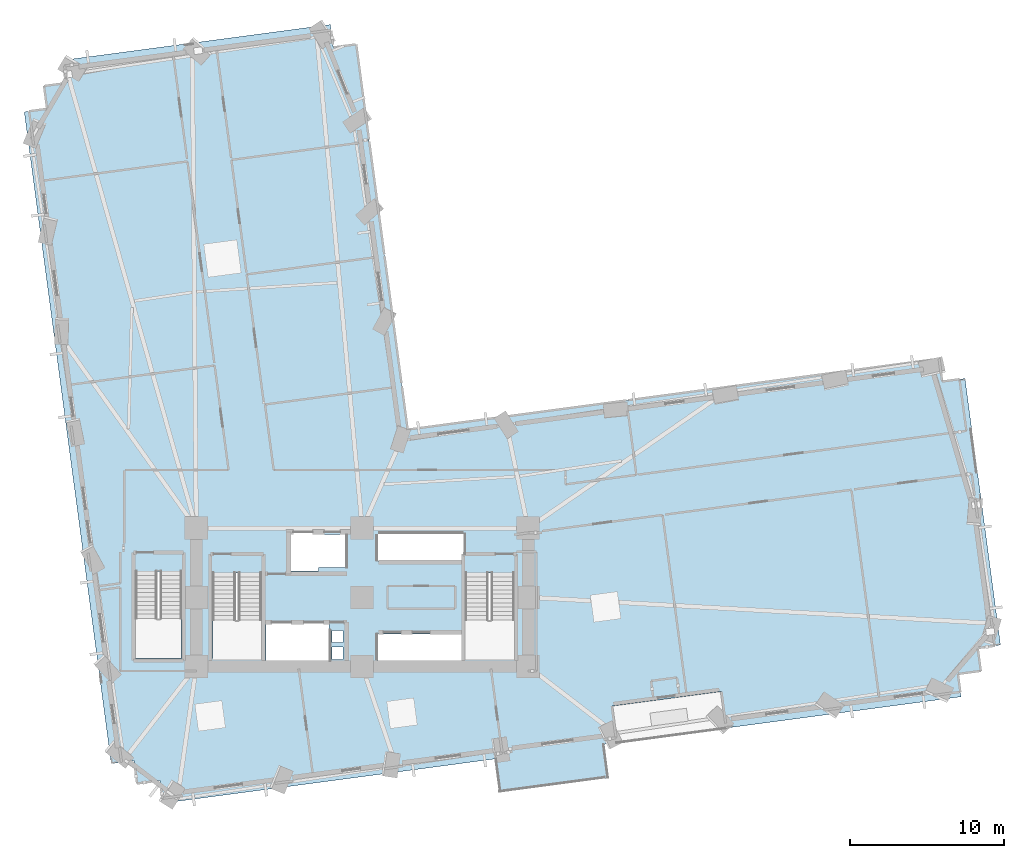
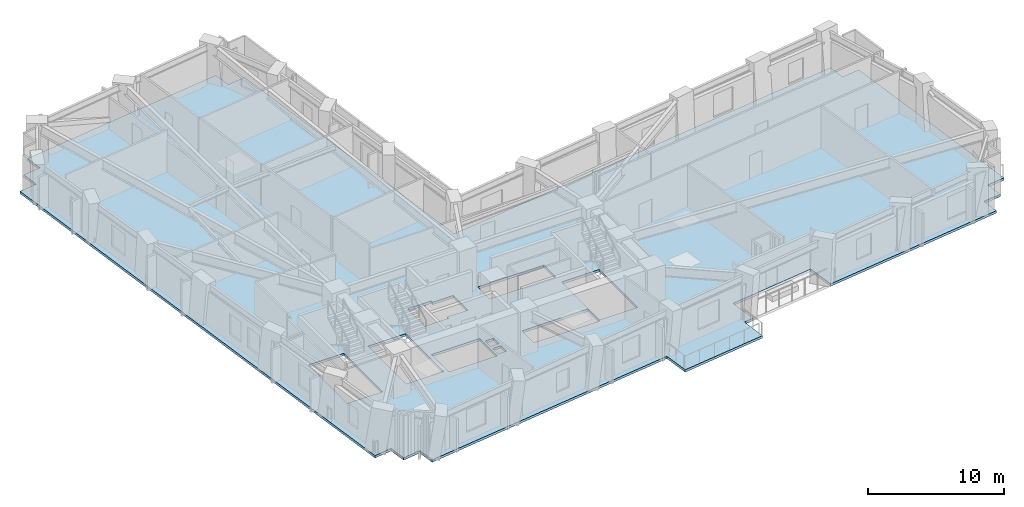
# One storey, part 4 of 14: 1 slab.
"""IFC4 building model written with IfcOpenShell, lengths in metres."""

from ifc_helpers import new_model, si_unit, direction, frame, origin, place, context, subcontext, project, spatial, polyline, outline, extrude, material, layer, layer_set, type_object, element, save


model = new_model("IFC4")

# Units and contexts
model_context = context("Model", 3, precision=1e-05, world=origin(), true_north=direction((0.0, 1.0)))
body_context = subcontext(model_context, "Body", "Model", "MODEL_VIEW")
ifc_project = project(units=[si_unit("LENGTHUNIT", "METRE"), si_unit("AREAUNIT", "SQUARE_METRE"), si_unit("VOLUMEUNIT", "CUBIC_METRE"), si_unit("PLANEANGLEUNIT", "RADIAN"), si_unit("MASSUNIT", "GRAM", prefix="KILO")], contexts=[model_context])

# Site, building, storey
site_placement = place(None, origin())
site = spatial("IfcSite", under=ifc_project, at=site_placement, CompositionType="ELEMENT")
building_placement = place(site_placement, origin())
building = spatial("IfcBuilding", under=site, at=building_placement, Name="Gaonmaruhae Medical Tower", CompositionType="ELEMENT")
storey_placement = place(building_placement, frame((0.0, 0.0, 55.0)))
storey = spatial("IfcBuildingStorey", under=building, at=storey_placement, Name="L12", CompositionType="ELEMENT", Elevation=55.0)

# Slab
ifc_material = material(Name="Concrete C40/50", Category="concrete")
ifc_layer = layer(ifc_material, 0.219970703125)
ifc_layer_set = layer_set([ifc_layer], Name="Concrete C40/50")
slab_type = type_object("IfcSlabType", Name="FS-220 Clinical Ward Composite Floor Slab", PredefinedType="FLOOR", material=ifc_layer_set)
slab_placement = place(storey_placement, frame((0.0, 0.0, -0.219970703125)))
element("IfcSlab", 1, at=slab_placement, inside=storey, type_object=slab_type, Name="L12 Structural Slab 1", PredefinedType="FLOOR", context=body_context, shape_type="SweptSolid", body=[
    extrude(outline(polyline([(11.63671875, 0.380615234375), (10.14990234375, 0.182373046875), (9.951416015625, 1.669189453125), (8.464599609375, 1.470703125), (2.80419921875, 43.894775390625), (4.291015625, 44.09326171875), (4.092529296875, 45.580078125), (5.579345703125, 45.7783203125), (5.380859375, 47.26513671875), (22.727294921875, 49.57958984375), (22.925537109375, 48.093017578125), (24.412353515625, 48.291259765625), (27.758544921875, 23.21337890625), (62.351806640625, 27.8291015625), (62.55029296875, 26.34228515625), (64.037109375, 26.540771484375), (66.3515625, 9.194580078125), (64.86474609375, 8.99609375), (65.063232421875, 7.50927734375), (63.576416015625, 7.310791015625), (63.77490234375, 5.82421875), (48.502197265625, 3.786376953125), (48.184814453125, 6.165283203125), (41.0478515625, 5.212890625), (41.365478515625, 2.833984375), (40.572509765625, 2.728271484375), (40.86328125, 0.547607421875), (33.7265625, -0.40478515625), (33.435546875, 1.77587890625), (11.835205078125, -1.106201171875), (11.63671875, 0.380615234375)]), holes=[polyline([(23.550048828125, 8.25), (22.85009765625, 8.25), (22.85009765625, 9.050048828125), (23.550048828125, 9.050048828125), (23.550048828125, 8.25)]), polyline([(25.824951171875, 9.925048828125), (31.425048828125, 9.925048828125), (31.425048828125, 8.175048828125), (25.824951171875, 8.175048828125), (25.824951171875, 9.925048828125)]), polyline([(22.64990234375, 10.625), (22.64990234375, 8.074951171875), (18.550048828125, 8.074951171875), (18.550048828125, 10.625), (22.64990234375, 10.625)]), polyline([(23.550048828125, 9.35009765625), (22.85009765625, 9.35009765625), (22.85009765625, 10.14990234375), (23.550048828125, 10.14990234375), (23.550048828125, 9.35009765625)]), polyline([(15.050048828125, 13.889892578125), (18.25, 13.889892578125), (18.25, 8.300048828125), (15.050048828125, 8.300048828125), (15.050048828125, 13.889892578125)]), polyline([(31.5, 13.889892578125), (34.699951171875, 13.889892578125), (34.699951171875, 8.300048828125), (31.5, 8.300048828125), (31.5, 13.889892578125)]), polyline([(10.050048828125, 13.989990234375), (13.050048828125, 13.989990234375), (13.050048828125, 8.300048828125), (10.050048828125, 8.300048828125), (10.050048828125, 13.989990234375)]), polyline([(21.949951171875, 14.02490234375), (19.949951171875, 14.02490234375), (19.949951171875, 16.574951171875), (21.949951171875, 16.574951171875), (21.949951171875, 16.375), (23.72509765625, 16.375), (23.72509765625, 14.22509765625), (21.949951171875, 14.22509765625), (21.949951171875, 14.02490234375)]), polyline([(31.425048828125, 16.425048828125), (31.425048828125, 14.675048828125), (25.824951171875, 14.675048828125), (25.824951171875, 16.425048828125), (31.425048828125, 16.425048828125)])]), origin(), (0.0, 0.0, 1.0), 0.219970703125),
])

save(model, "model.ifc")
